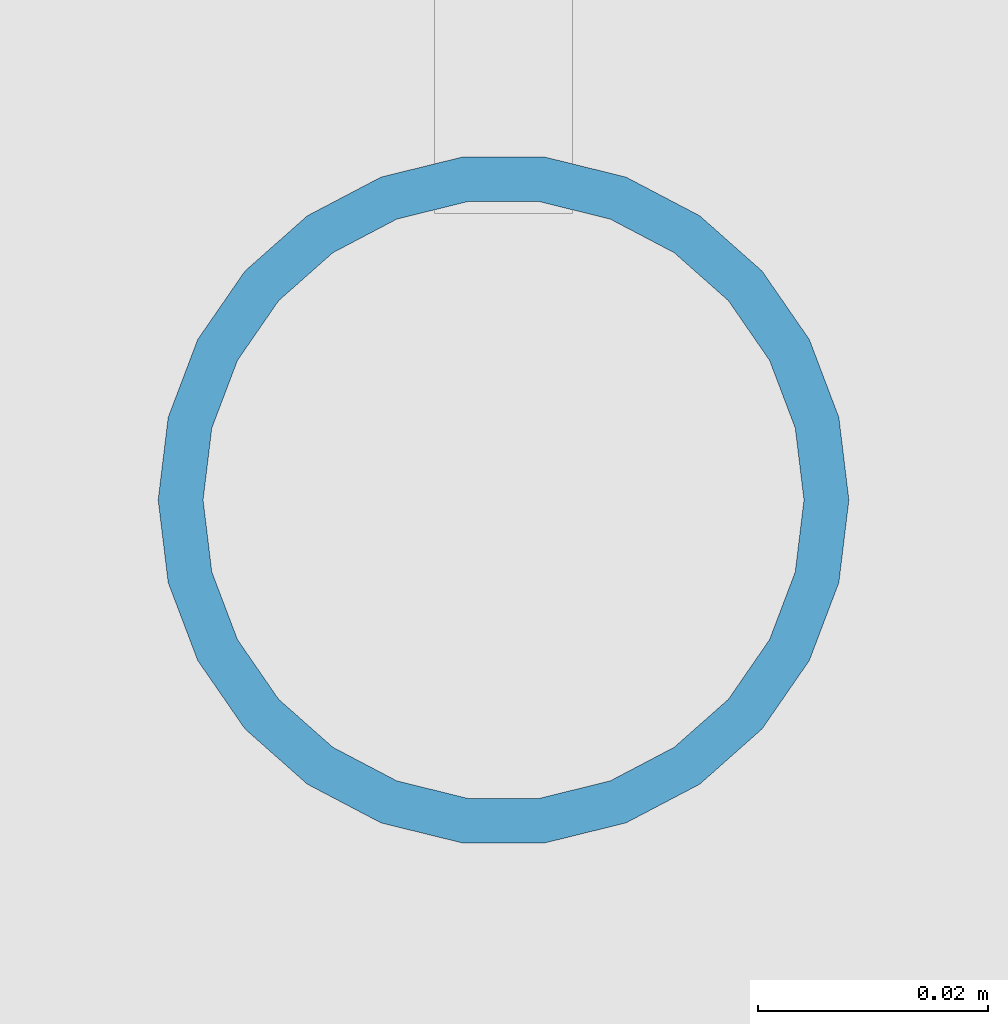
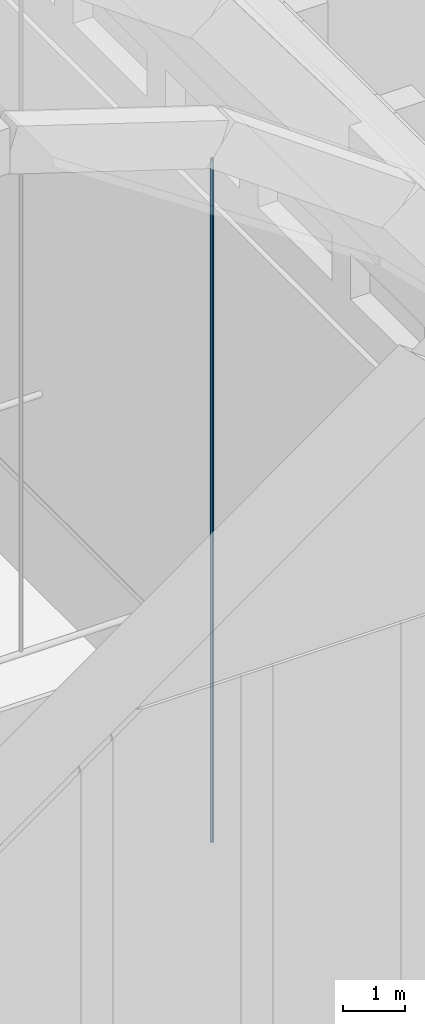
# One storey, part 13 of 55: 1 member.
"""IFC4 building model written with IfcOpenShell, lengths in metres."""

from ifc_helpers import new_model, si_unit, direction, frame, origin, origin_2d, place, context, subcontext, project, spatial, hollow_circle, extrude, material, material_profile, profile_set, type_object, element, save


model = new_model("IFC4")

# Units and contexts
model_context = context("Model", 3, precision=1e-05, world=origin(), true_north=direction((0.0, 1.0)))
body_context = subcontext(model_context, "Body", "Model", "MODEL_VIEW")
ifc_project = project(units=[si_unit("LENGTHUNIT", "METRE"), si_unit("AREAUNIT", "SQUARE_METRE"), si_unit("VOLUMEUNIT", "CUBIC_METRE"), si_unit("PLANEANGLEUNIT", "RADIAN"), si_unit("MASSUNIT", "GRAM", prefix="KILO")], contexts=[model_context])

# Site, building, storey
site_placement = place(None, origin())
site = spatial("IfcSite", under=ifc_project, at=site_placement, CompositionType="ELEMENT")
building_placement = place(site_placement, origin())
building = spatial("IfcBuilding", under=site, at=building_placement, Name="Lunette Opera House", CompositionType="ELEMENT")
storey_placement = place(building_placement, frame((0.0, 0.0, 34.0)))
storey = spatial("IfcBuildingStorey", under=building, at=storey_placement, Name="L06", CompositionType="ELEMENT", Elevation=34.0)

# Member
ifc_material = material(Name="Steel S355", Category="steel")
ifc_material_profile = material_profile(ifc_material, hollow_circle(Radius=0.030029296875, WallThickness=0.00390625, at=origin_2d()), Name="CHS 60.3X4")
ifc_profile_set = profile_set([ifc_material_profile], Name="Steel S355")
member_type = type_object("IfcMemberType", Name="CHS 60.3X4", PredefinedType="POST", material=ifc_profile_set)
member_placement = place(storey_placement, frame((102.0, 101.800048828125, 4.030029296875), z_axis=(0.0, 0.0, 1.0), x_axis=(1.0, 0.0, 0.0)))
element("IfcMember", 1, at=member_placement, inside=storey, type_object=member_type, Name="mem-ST-L06-TH2-102", PredefinedType="POST", context=body_context, shape_type="SweptSolid", body=[
    extrude(hollow_circle(Radius=0.030029296875, WallThickness=0.00390625, at=origin_2d()), origin(), (0.0, 0.0, 1.0), 13.5390625),
])

save(model, "model.ifc")
